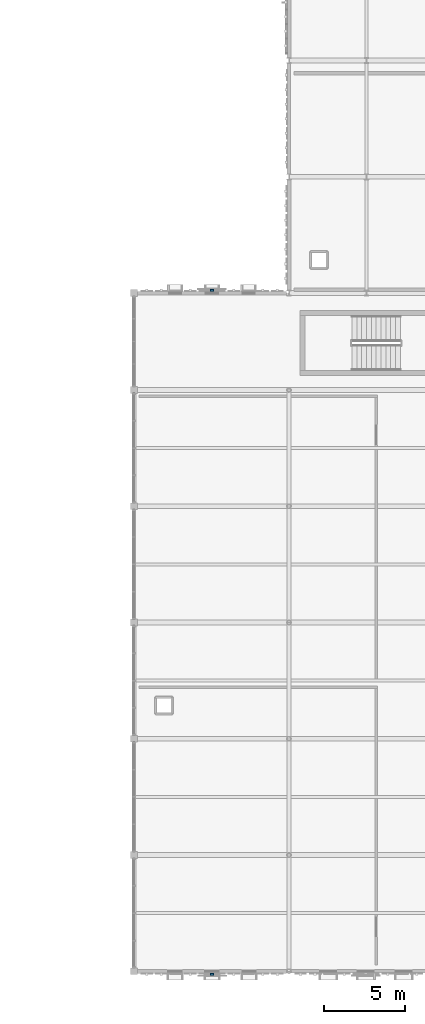
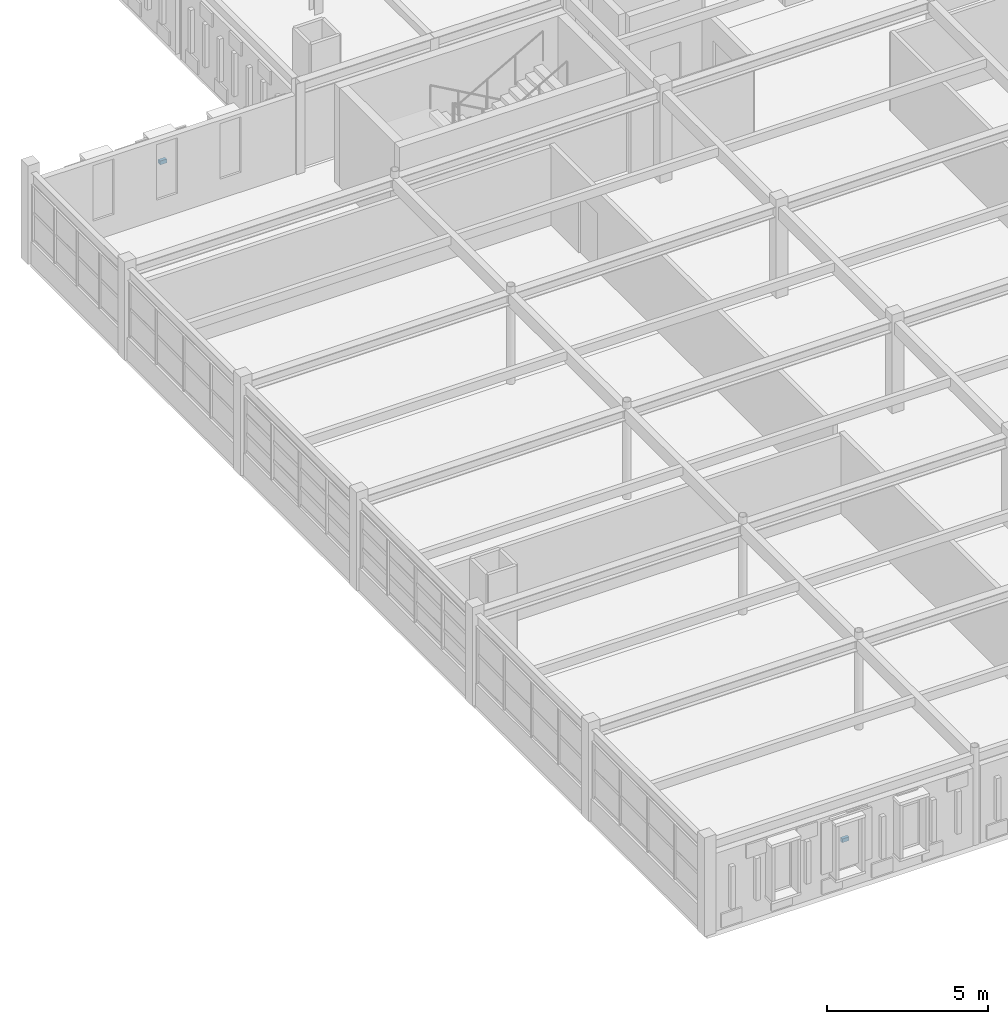
# One storey, part 32 of 46: 2 discrete accessories.
"""IFC4 building model written with IfcOpenShell, lengths in metres."""

from ifc_helpers import new_model, si_unit, direction, frame, origin, origin_2d, place, context, subcontext, project, spatial, rectangle, extrude, material, type_object, element, save


model = new_model("IFC4")

# Units and contexts
model_context = context("Model", 3, precision=1e-05, world=origin(), true_north=direction((0.0, 1.0)))
body_context = subcontext(model_context, "Body", "Model", "MODEL_VIEW")
ifc_project = project(units=[si_unit("LENGTHUNIT", "METRE"), si_unit("AREAUNIT", "SQUARE_METRE"), si_unit("VOLUMEUNIT", "CUBIC_METRE"), si_unit("PLANEANGLEUNIT", "RADIAN"), si_unit("MASSUNIT", "GRAM", prefix="KILO")], contexts=[model_context])

# Site, building, storey
site_placement = place(None, origin())
site = spatial("IfcSite", under=ifc_project, at=site_placement, CompositionType="ELEMENT")
building_placement = place(site_placement, origin())
building = spatial("IfcBuilding", under=site, at=building_placement, Name="Nzembalo Square Collegiate School", CompositionType="ELEMENT")
storey_placement = place(building_placement, frame((0.0, 0.0, 17.340087890625)))
storey = spatial("IfcBuildingStorey", under=building, at=storey_placement, Name="L04", CompositionType="ELEMENT", Elevation=17.340087890625)

# Discrete accessories
ifc_material = material(Name="Steel S355", Category="steel")
discrete_accessory_type = type_object("IfcDiscreteAccessoryType", Name="BK01", PredefinedType="BRACKET", material=ifc_material)
for number, where, z_axis, x_axis, name in (
    (1, (135.6298828125, 50.5625, 1.86962890625), (0.0, 0.0, 1.0), (1.0, 0.0, 0.0), "Screen bracket BK01-027"),
    (2, (135.63671875, 8.222412109375, 1.8544921875), (0.0, 0.0, 1.0), (1.0, 0.0, 0.0), "Screen bracket BK01-029"),
):
    element("IfcDiscreteAccessory", number, at=place(storey_placement, frame(where, z_axis=z_axis, x_axis=x_axis)), inside=storey, type_object=discrete_accessory_type, Name=name, PredefinedType="BRACKET", context=body_context, shape_type="SweptSolid", body=[
        extrude(rectangle(XDim=0.239990234375, YDim=0.1201171875, at=origin_2d()), origin(), (0.0, 0.0, 1.0), 0.139892578125),
    ])

save(model, "model.ifc")
